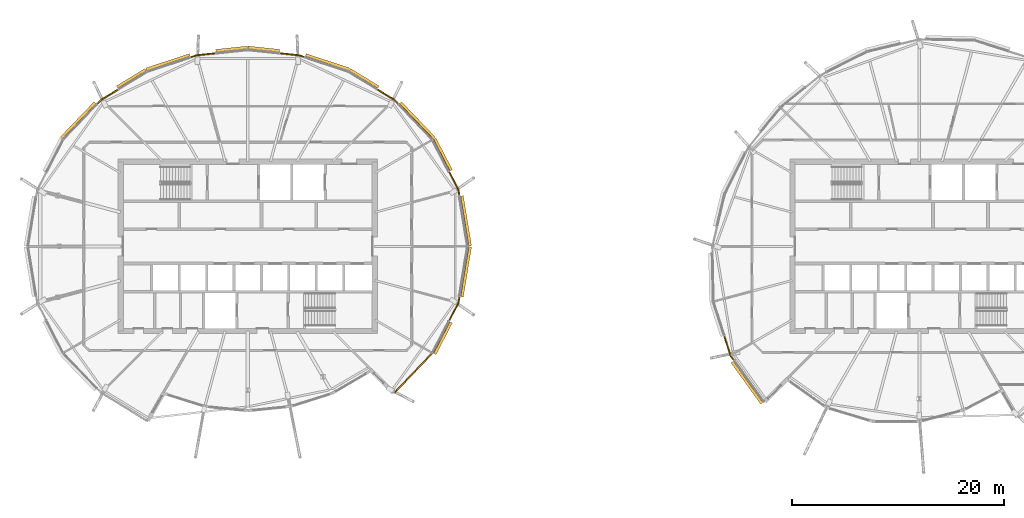
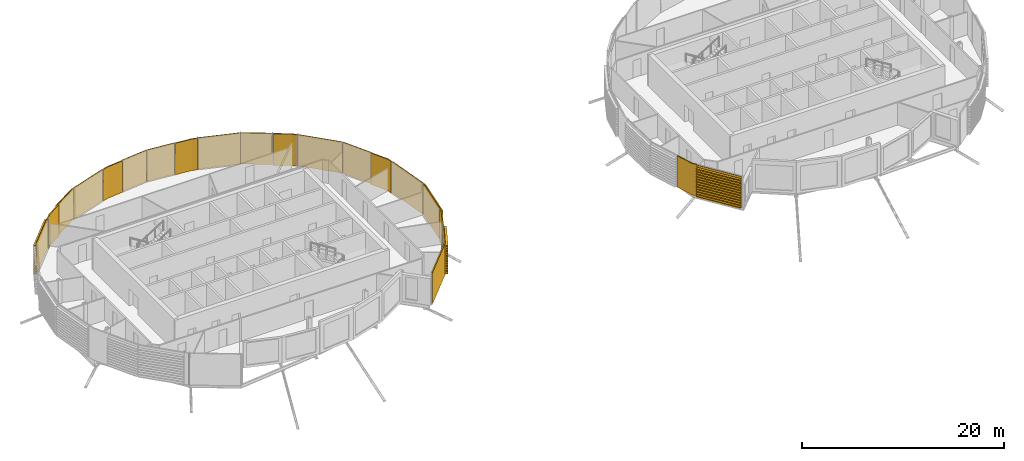
# One storey, part 31 of 35: 21 coverings.
"""IFC4 building model written with IfcOpenShell, lengths in metres."""

from ifc_helpers import new_model, si_unit, direction, frame, origin, place, context, subcontext, project, spatial, polyline, outline, extrude, material, layer, layer_set, material_profile, profile_set, type_object, element, save


model = new_model("IFC4")

# Units and contexts
model_context = context("Model", 3, precision=1e-05, world=origin(), true_north=direction((0.0, 1.0)))
body_context = subcontext(model_context, "Body", "Model", "MODEL_VIEW")
ifc_project = project(units=[si_unit("LENGTHUNIT", "METRE"), si_unit("AREAUNIT", "SQUARE_METRE"), si_unit("VOLUMEUNIT", "CUBIC_METRE"), si_unit("PLANEANGLEUNIT", "RADIAN"), si_unit("MASSUNIT", "GRAM", prefix="KILO")], contexts=[model_context])

# Site, building, storey
site_placement = place(None, origin())
site = spatial("IfcSite", under=ifc_project, at=site_placement, CompositionType="ELEMENT")
building_placement = place(site_placement, origin())
building = spatial("IfcBuilding", under=site, at=building_placement, Name="Rimbun Link Towers", CompositionType="ELEMENT")
storey_placement = place(building_placement, frame((0.0, 0.0, 225.699951171875)))
storey = spatial("IfcBuildingStorey", under=building, at=storey_placement, Name="L55", CompositionType="ELEMENT", Elevation=225.699951171875)

# Coverings
ifc_material_1 = material(Name="Terracotta", Category="masonry")
ifc_layer = layer(ifc_material_1, 0.1201171875)
ifc_layer_set = layer_set([ifc_layer], Name="LINK PIER terracotta cladding 120")
covering_type_1 = type_object("IfcCoveringType", Name="LINK PIER terracotta cladding 120", PredefinedType="CLADDING", material=ifc_layer_set)
covering_1_placement = place(storey_placement, origin())
element("IfcCovering", 1, at=covering_1_placement, inside=storey, type_object=covering_type_1, Name="LINK PIER cladding", PredefinedType="CLADDING", context=body_context, shape_type="SweptSolid", body=[
    extrude(outline(polyline([(-12.76513671875, 7.028564453125), (-11.8828125, 5.323486328125), (-11.790283203125, 4.760986328125), (-11.671875, 4.780517578125), (-11.767333984375, 5.361572265625), (-12.658447265625, 7.083740234375), (-12.76513671875, 7.028564453125)])), origin(), (0.0, 0.0, 1.0), 3.800048828125),
])
covering_2_placement = place(storey_placement, origin())
element("IfcCovering", 2, at=covering_2_placement, inside=storey, type_object=covering_type_1, Name="LINK PIER cladding", PredefinedType="CLADDING", context=body_context, shape_type="SweptSolid", body=[
    extrude(outline(polyline([(-19.528564453125, 14.79345703125), (-17.93505859375, 13.81494140625), (-17.54052734375, 13.403564453125), (-17.453857421875, 13.486572265625), (-17.859130859375, 13.9091796875), (-19.4658203125, 14.895751953125), (-19.528564453125, 14.79345703125)])), origin(), (0.0, 0.0, 1.0), 3.800048828125),
])
covering_3_placement = place(storey_placement, origin())
element("IfcCovering", 3, at=covering_3_placement, inside=storey, type_object=covering_type_1, Name="LINK PIER cladding", PredefinedType="CLADDING", context=body_context, shape_type="SweptSolid", body=[
    extrude(outline(polyline([(-28.733642578125, 18.20263671875), (-26.923583984375, 18.011962890625), (-26.382568359375, 17.832763671875), (-26.344970703125, 17.946533203125), (-26.898193359375, 18.1298828125), (-28.72119140625, 18.322021484375), (-28.733642578125, 18.20263671875)])), origin(), (0.0, 0.0, 1.0), 3.800048828125),
])
covering_4_placement = place(storey_placement, origin())
element("IfcCovering", 4, at=covering_4_placement, inside=storey, type_object=covering_type_1, Name="LINK PIER cladding", PredefinedType="CLADDING", context=body_context, shape_type="SweptSolid", body=[
    extrude(outline(polyline([(-37.117431640625, 17.832763671875), (-36.576416015625, 18.011962890625), (-34.766357421875, 18.20263671875), (-34.77880859375, 18.322021484375), (-36.601806640625, 18.1298828125), (-37.155029296875, 17.946533203125), (-37.117431640625, 17.832763671875)])), origin(), (0.0, 0.0, 1.0), 3.800048828125),
])
covering_5_placement = place(storey_placement, origin())
element("IfcCovering", 5, at=covering_5_placement, inside=storey, type_object=covering_type_1, Name="LINK PIER cladding", PredefinedType="CLADDING", context=body_context, shape_type="SweptSolid", body=[
    extrude(outline(polyline([(-45.95947265625, 13.403564453125), (-45.56494140625, 13.81494140625), (-43.971435546875, 14.79345703125), (-44.0341796875, 14.895751953125), (-45.640869140625, 13.9091796875), (-46.046142578125, 13.486572265625), (-45.95947265625, 13.403564453125)])), origin(), (0.0, 0.0, 1.0), 3.800048828125),
])
covering_6_placement = place(storey_placement, origin())
element("IfcCovering", 6, at=covering_6_placement, inside=storey, type_object=covering_type_1, Name="LINK PIER cladding", PredefinedType="CLADDING", context=body_context, shape_type="SweptSolid", body=[
    extrude(outline(polyline([(-14.3525390625, -10.078125), (-17.914306640625, -13.79345703125), (-17.82763671875, -13.87646484375), (-14.265869140625, -10.1611328125), (-14.3525390625, -10.078125)])), origin(), (0.0, 0.0, 1.0), 3.800048828125),
])
covering_7_placement = place(storey_placement, origin())
element("IfcCovering", 7, at=covering_7_placement, inside=storey, type_object=covering_type_1, Name="LINK PIER cladding", PredefinedType="CLADDING", context=body_context, shape_type="SweptSolid", body=[
    extrude(outline(polyline([(-11.790283203125, -4.760986328125), (-11.8828125, -5.323486328125), (-12.76513671875, -7.028564453125), (-12.658447265625, -7.083740234375), (-11.767333984375, -5.361572265625), (-11.671875, -4.780517578125), (-11.790283203125, -4.760986328125)])), origin(), (0.0, 0.0, 1.0), 3.800048828125),
])
covering_8_placement = place(storey_placement, origin())
element("IfcCovering", 8, at=covering_8_placement, inside=storey, type_object=covering_type_1, Name="LINK PIER cladding", PredefinedType="CLADDING", context=body_context, shape_type="SweptSolid", body=[
    extrude(outline(polyline([(14.269775390625, -10.747314453125), (13.9375, -10.2841796875), (13.35546875, -8.454345703125), (13.2412109375, -8.49072265625), (13.828857421875, -10.338623046875), (14.172119140625, -10.817138671875), (14.269775390625, -10.747314453125)])), origin(), (0.0, 0.0, 1.0), 3.800048828125),
])
ifc_material_2 = material(Name="Terracotta", Category="masonry")
ifc_material_profile = material_profile(ifc_material_2, outline(polyline([(0.123046875, 0.0), (0.1630859375, 0.0), (0.1630859375, 0.10009765625), (0.423095703125, 0.10009765625), (0.423095703125, 0.219970703125), (0.1630859375, 0.219970703125), (0.1630859375, 0.39990234375), (0.423095703125, 0.39990234375), (0.423095703125, 0.52001953125), (0.1630859375, 0.52001953125), (0.1630859375, 0.699951171875), (0.423095703125, 0.699951171875), (0.423095703125, 0.820068359375), (0.1630859375, 0.820068359375), (0.1630859375, 1.0), (0.423095703125, 1.0), (0.423095703125, 1.1201171875), (0.1630859375, 1.1201171875), (0.1630859375, 1.300048828125), (0.423095703125, 1.300048828125), (0.423095703125, 1.419921875), (0.1630859375, 1.419921875), (0.1630859375, 1.60009765625), (0.423095703125, 1.60009765625), (0.423095703125, 1.719970703125), (0.1630859375, 1.719970703125), (0.1630859375, 1.89990234375), (0.423095703125, 1.89990234375), (0.423095703125, 2.02001953125), (0.1630859375, 2.02001953125), (0.1630859375, 2.199951171875), (0.423095703125, 2.199951171875), (0.423095703125, 2.320068359375), (0.1630859375, 2.320068359375), (0.1630859375, 2.5), (0.423095703125, 2.5), (0.423095703125, 2.6201171875), (0.1630859375, 2.6201171875), (0.1630859375, 2.800048828125), (0.423095703125, 2.800048828125), (0.423095703125, 2.919921875), (0.1630859375, 2.919921875), (0.1630859375, 3.10009765625), (0.423095703125, 3.10009765625), (0.423095703125, 3.219970703125), (0.1630859375, 3.219970703125), (0.1630859375, 3.39990234375), (0.423095703125, 3.39990234375), (0.423095703125, 3.52001953125), (0.1630859375, 3.52001953125), (0.1630859375, 3.800048828125), (0.123046875, 3.800048828125), (0.123046875, 0.0)])), Name="BAGUETTE 120X300")
ifc_profile_set = profile_set([ifc_material_profile], Name="Terracotta")
covering_type_2 = type_object("IfcCoveringType", Name="TERRACOTTA BAGUETTE 120X300 H3800", PredefinedType="CLADDING", material=ifc_profile_set)
covering_9_placement = place(storey_placement, frame((-11.785400390625, 4.7314453125, 0.0), z_axis=(0.162268400296, -0.98674665759, 0.0), x_axis=(0.98674665759, 0.162268400296, 0.0)))
element("IfcCovering", 9, at=covering_9_placement, inside=storey, type_object=covering_type_2, Name="TERRACOTTA BAGUETTE", PredefinedType="CLADDING", context=body_context, shape_type="SweptSolid", body=[
    extrude(outline(polyline([(0.123046875, 0.0), (0.1630859375, 0.0), (0.1630859375, 0.10009765625), (0.423095703125, 0.10009765625), (0.423095703125, 0.219970703125), (0.1630859375, 0.219970703125), (0.1630859375, 0.39990234375), (0.423095703125, 0.39990234375), (0.423095703125, 0.52001953125), (0.1630859375, 0.52001953125), (0.1630859375, 0.699951171875), (0.423095703125, 0.699951171875), (0.423095703125, 0.820068359375), (0.1630859375, 0.820068359375), (0.1630859375, 1.0), (0.423095703125, 1.0), (0.423095703125, 1.1201171875), (0.1630859375, 1.1201171875), (0.1630859375, 1.300048828125), (0.423095703125, 1.300048828125), (0.423095703125, 1.419921875), (0.1630859375, 1.419921875), (0.1630859375, 1.60009765625), (0.423095703125, 1.60009765625), (0.423095703125, 1.719970703125), (0.1630859375, 1.719970703125), (0.1630859375, 1.89990234375), (0.423095703125, 1.89990234375), (0.423095703125, 2.02001953125), (0.1630859375, 2.02001953125), (0.1630859375, 2.199951171875), (0.423095703125, 2.199951171875), (0.423095703125, 2.320068359375), (0.1630859375, 2.320068359375), (0.1630859375, 2.5), (0.423095703125, 2.5), (0.423095703125, 2.6201171875), (0.1630859375, 2.6201171875), (0.1630859375, 2.800048828125), (0.423095703125, 2.800048828125), (0.423095703125, 2.919921875), (0.1630859375, 2.919921875), (0.1630859375, 3.10009765625), (0.423095703125, 3.10009765625), (0.423095703125, 3.219970703125), (0.1630859375, 3.219970703125), (0.1630859375, 3.39990234375), (0.423095703125, 3.39990234375), (0.423095703125, 3.52001953125), (0.1630859375, 3.52001953125), (0.1630859375, 3.800048828125), (0.123046875, 3.800048828125), (0.123046875, 0.0)])), origin(), (0.0, 0.0, 1.0), 4.794921875),
])
covering_10_placement = place(storey_placement, frame((-14.331787109375, 10.056396484375, 0.0), z_axis=(0.459597847654, -0.888127140916, 0.0), x_axis=(0.888127140916, 0.459597847654, 0.0)))
element("IfcCovering", 10, at=covering_10_placement, inside=storey, type_object=covering_type_2, Name="TERRACOTTA BAGUETTE", PredefinedType="CLADDING", context=body_context, shape_type="SweptSolid", body=[
    extrude(outline(polyline([(0.123046875, 0.0), (0.1630859375, 0.0), (0.1630859375, 0.10009765625), (0.423095703125, 0.10009765625), (0.423095703125, 0.219970703125), (0.1630859375, 0.219970703125), (0.1630859375, 0.39990234375), (0.423095703125, 0.39990234375), (0.423095703125, 0.52001953125), (0.1630859375, 0.52001953125), (0.1630859375, 0.699951171875), (0.423095703125, 0.699951171875), (0.423095703125, 0.820068359375), (0.1630859375, 0.820068359375), (0.1630859375, 1.0), (0.423095703125, 1.0), (0.423095703125, 1.1201171875), (0.1630859375, 1.1201171875), (0.1630859375, 1.300048828125), (0.423095703125, 1.300048828125), (0.423095703125, 1.419921875), (0.1630859375, 1.419921875), (0.1630859375, 1.60009765625), (0.423095703125, 1.60009765625), (0.423095703125, 1.719970703125), (0.1630859375, 1.719970703125), (0.1630859375, 1.89990234375), (0.423095703125, 1.89990234375), (0.423095703125, 2.02001953125), (0.1630859375, 2.02001953125), (0.1630859375, 2.199951171875), (0.423095703125, 2.199951171875), (0.423095703125, 2.320068359375), (0.1630859375, 2.320068359375), (0.1630859375, 2.5), (0.423095703125, 2.5), (0.423095703125, 2.6201171875), (0.1630859375, 2.6201171875), (0.1630859375, 2.800048828125), (0.423095703125, 2.800048828125), (0.423095703125, 2.919921875), (0.1630859375, 2.919921875), (0.1630859375, 3.10009765625), (0.423095703125, 3.10009765625), (0.423095703125, 3.219970703125), (0.1630859375, 3.219970703125), (0.1630859375, 3.39990234375), (0.423095703125, 3.39990234375), (0.423095703125, 3.52001953125), (0.1630859375, 3.52001953125), (0.1630859375, 3.800048828125), (0.123046875, 3.800048828125), (0.123046875, 0.0)])), origin(), (0.0, 0.0, 1.0), 3.37890625),
])
covering_11_placement = place(storey_placement, frame((-17.519775390625, 13.3818359375, 0.0), z_axis=(0.692030818263, -0.721867956468, 0.0), x_axis=(0.721867956468, 0.692030818263, 0.0)))
element("IfcCovering", 11, at=covering_11_placement, inside=storey, type_object=covering_type_2, Name="TERRACOTTA BAGUETTE", PredefinedType="CLADDING", context=body_context, shape_type="SweptSolid", body=[
    extrude(outline(polyline([(0.123046875, 0.0), (0.1630859375, 0.0), (0.1630859375, 0.10009765625), (0.423095703125, 0.10009765625), (0.423095703125, 0.219970703125), (0.1630859375, 0.219970703125), (0.1630859375, 0.39990234375), (0.423095703125, 0.39990234375), (0.423095703125, 0.52001953125), (0.1630859375, 0.52001953125), (0.1630859375, 0.699951171875), (0.423095703125, 0.699951171875), (0.423095703125, 0.820068359375), (0.1630859375, 0.820068359375), (0.1630859375, 1.0), (0.423095703125, 1.0), (0.423095703125, 1.1201171875), (0.1630859375, 1.1201171875), (0.1630859375, 1.300048828125), (0.423095703125, 1.300048828125), (0.423095703125, 1.419921875), (0.1630859375, 1.419921875), (0.1630859375, 1.60009765625), (0.423095703125, 1.60009765625), (0.423095703125, 1.719970703125), (0.1630859375, 1.719970703125), (0.1630859375, 1.89990234375), (0.423095703125, 1.89990234375), (0.423095703125, 2.02001953125), (0.1630859375, 2.02001953125), (0.1630859375, 2.199951171875), (0.423095703125, 2.199951171875), (0.423095703125, 2.320068359375), (0.1630859375, 2.320068359375), (0.1630859375, 2.5), (0.423095703125, 2.5), (0.423095703125, 2.6201171875), (0.1630859375, 2.6201171875), (0.1630859375, 2.800048828125), (0.423095703125, 2.800048828125), (0.423095703125, 2.919921875), (0.1630859375, 2.919921875), (0.1630859375, 3.10009765625), (0.423095703125, 3.10009765625), (0.423095703125, 3.219970703125), (0.1630859375, 3.219970703125), (0.1630859375, 3.39990234375), (0.423095703125, 3.39990234375), (0.423095703125, 3.52001953125), (0.1630859375, 3.52001953125), (0.1630859375, 3.800048828125), (0.123046875, 3.800048828125), (0.123046875, 0.0)])), origin(), (0.0, 0.0, 1.0), 4.606689453125),
])
covering_12_placement = place(storey_placement, frame((-22.245849609375, 16.4619140625, 0.0), z_axis=(0.852162155598, -0.52327780439, 0.0), x_axis=(0.52327780439, 0.852162155598, 0.0)))
element("IfcCovering", 12, at=covering_12_placement, inside=storey, type_object=covering_type_2, Name="TERRACOTTA BAGUETTE", PredefinedType="CLADDING", context=body_context, shape_type="SweptSolid", body=[
    extrude(outline(polyline([(0.123046875, 0.0), (0.1630859375, 0.0), (0.1630859375, 0.10009765625), (0.423095703125, 0.10009765625), (0.423095703125, 0.219970703125), (0.1630859375, 0.219970703125), (0.1630859375, 0.39990234375), (0.423095703125, 0.39990234375), (0.423095703125, 0.52001953125), (0.1630859375, 0.52001953125), (0.1630859375, 0.699951171875), (0.423095703125, 0.699951171875), (0.423095703125, 0.820068359375), (0.1630859375, 0.820068359375), (0.1630859375, 1.0), (0.423095703125, 1.0), (0.423095703125, 1.1201171875), (0.1630859375, 1.1201171875), (0.1630859375, 1.300048828125), (0.423095703125, 1.300048828125), (0.423095703125, 1.419921875), (0.1630859375, 1.419921875), (0.1630859375, 1.60009765625), (0.423095703125, 1.60009765625), (0.423095703125, 1.719970703125), (0.1630859375, 1.719970703125), (0.1630859375, 1.89990234375), (0.423095703125, 1.89990234375), (0.423095703125, 2.02001953125), (0.1630859375, 2.02001953125), (0.1630859375, 2.199951171875), (0.423095703125, 2.199951171875), (0.423095703125, 2.320068359375), (0.1630859375, 2.320068359375), (0.1630859375, 2.5), (0.423095703125, 2.5), (0.423095703125, 2.6201171875), (0.1630859375, 2.6201171875), (0.1630859375, 2.800048828125), (0.423095703125, 2.800048828125), (0.423095703125, 2.919921875), (0.1630859375, 2.919921875), (0.1630859375, 3.10009765625), (0.423095703125, 3.10009765625), (0.423095703125, 3.219970703125), (0.1630859375, 3.219970703125), (0.1630859375, 3.39990234375), (0.423095703125, 3.39990234375), (0.423095703125, 3.52001953125), (0.1630859375, 3.52001953125), (0.1630859375, 3.800048828125), (0.123046875, 3.800048828125), (0.123046875, 0.0)])), origin(), (0.0, 0.0, 1.0), 3.15869140625),
])
covering_13_placement = place(storey_placement, frame((-26.354248046875, 17.8232421875, 0.0), z_axis=(0.949245875883, -0.314535001422, 0.0), x_axis=(0.314535001422, 0.949245875883, 0.0)))
element("IfcCovering", 13, at=covering_13_placement, inside=storey, type_object=covering_type_2, Name="TERRACOTTA BAGUETTE", PredefinedType="CLADDING", context=body_context, shape_type="SweptSolid", body=[
    extrude(outline(polyline([(0.123046875, 0.0), (0.1630859375, 0.0), (0.1630859375, 0.10009765625), (0.423095703125, 0.10009765625), (0.423095703125, 0.219970703125), (0.1630859375, 0.219970703125), (0.1630859375, 0.39990234375), (0.423095703125, 0.39990234375), (0.423095703125, 0.52001953125), (0.1630859375, 0.52001953125), (0.1630859375, 0.699951171875), (0.423095703125, 0.699951171875), (0.423095703125, 0.820068359375), (0.1630859375, 0.820068359375), (0.1630859375, 1.0), (0.423095703125, 1.0), (0.423095703125, 1.1201171875), (0.1630859375, 1.1201171875), (0.1630859375, 1.300048828125), (0.423095703125, 1.300048828125), (0.423095703125, 1.419921875), (0.1630859375, 1.419921875), (0.1630859375, 1.60009765625), (0.423095703125, 1.60009765625), (0.423095703125, 1.719970703125), (0.1630859375, 1.719970703125), (0.1630859375, 1.89990234375), (0.423095703125, 1.89990234375), (0.423095703125, 2.02001953125), (0.1630859375, 2.02001953125), (0.1630859375, 2.199951171875), (0.423095703125, 2.199951171875), (0.423095703125, 2.320068359375), (0.1630859375, 2.320068359375), (0.1630859375, 2.5), (0.423095703125, 2.5), (0.423095703125, 2.6201171875), (0.1630859375, 2.6201171875), (0.1630859375, 2.800048828125), (0.423095703125, 2.800048828125), (0.423095703125, 2.919921875), (0.1630859375, 2.919921875), (0.1630859375, 3.10009765625), (0.423095703125, 3.10009765625), (0.423095703125, 3.219970703125), (0.1630859375, 3.219970703125), (0.1630859375, 3.39990234375), (0.423095703125, 3.39990234375), (0.423095703125, 3.52001953125), (0.1630859375, 3.52001953125), (0.1630859375, 3.800048828125), (0.123046875, 3.800048828125), (0.123046875, 0.0)])), origin(), (0.0, 0.0, 1.0), 4.328125),
])
for number, where, z_axis, x_axis, name in (
    (14, (-31.75, 18.520263671875, 0.0), (0.994502779828, -0.104710175788, 0.0), (0.104710175788, 0.994502779828, 0.0), "TERRACOTTA BAGUETTE"),
    (15, (-34.736572265625, 18.205810546875, 0.0), (0.994502779828, 0.104710175788, 0.0), (-0.104710175788, 0.994502779828, 0.0), "TERRACOTTA BAGUETTE"),
):
    element("IfcCovering", number, at=place(storey_placement, frame(where, z_axis=z_axis, x_axis=x_axis)), inside=storey, type_object=covering_type_2, Name=name, PredefinedType="CLADDING", context=body_context, shape_type="SweptSolid", body=[
        extrude(outline(polyline([(0.123046875, 0.0), (0.1630859375, 0.0), (0.1630859375, 0.10009765625), (0.423095703125, 0.10009765625), (0.423095703125, 0.219970703125), (0.1630859375, 0.219970703125), (0.1630859375, 0.39990234375), (0.423095703125, 0.39990234375), (0.423095703125, 0.52001953125), (0.1630859375, 0.52001953125), (0.1630859375, 0.699951171875), (0.423095703125, 0.699951171875), (0.423095703125, 0.820068359375), (0.1630859375, 0.820068359375), (0.1630859375, 1.0), (0.423095703125, 1.0), (0.423095703125, 1.1201171875), (0.1630859375, 1.1201171875), (0.1630859375, 1.300048828125), (0.423095703125, 1.300048828125), (0.423095703125, 1.419921875), (0.1630859375, 1.419921875), (0.1630859375, 1.60009765625), (0.423095703125, 1.60009765625), (0.423095703125, 1.719970703125), (0.1630859375, 1.719970703125), (0.1630859375, 1.89990234375), (0.423095703125, 1.89990234375), (0.423095703125, 2.02001953125), (0.1630859375, 2.02001953125), (0.1630859375, 2.199951171875), (0.423095703125, 2.199951171875), (0.423095703125, 2.320068359375), (0.1630859375, 2.320068359375), (0.1630859375, 2.5), (0.423095703125, 2.5), (0.423095703125, 2.6201171875), (0.1630859375, 2.6201171875), (0.1630859375, 2.800048828125), (0.423095703125, 2.800048828125), (0.423095703125, 2.919921875), (0.1630859375, 2.919921875), (0.1630859375, 3.10009765625), (0.423095703125, 3.10009765625), (0.423095703125, 3.219970703125), (0.1630859375, 3.219970703125), (0.1630859375, 3.39990234375), (0.423095703125, 3.39990234375), (0.423095703125, 3.52001953125), (0.1630859375, 3.52001953125), (0.1630859375, 3.800048828125), (0.123046875, 3.800048828125), (0.123046875, 0.0)])), origin(), (0.0, 0.0, 1.0), 3.003173828125),
    ])
covering_14_placement = place(storey_placement, frame((-41.254150390625, 16.4619140625, 0.0), z_axis=(0.949245875883, 0.314535001422, 0.0), x_axis=(-0.314535001422, 0.949245875883, 0.0)))
element("IfcCovering", 16, at=covering_14_placement, inside=storey, type_object=covering_type_2, Name="TERRACOTTA BAGUETTE", PredefinedType="CLADDING", context=body_context, shape_type="SweptSolid", body=[
    extrude(outline(polyline([(0.123046875, 0.0), (0.1630859375, 0.0), (0.1630859375, 0.10009765625), (0.423095703125, 0.10009765625), (0.423095703125, 0.219970703125), (0.1630859375, 0.219970703125), (0.1630859375, 0.39990234375), (0.423095703125, 0.39990234375), (0.423095703125, 0.52001953125), (0.1630859375, 0.52001953125), (0.1630859375, 0.699951171875), (0.423095703125, 0.699951171875), (0.423095703125, 0.820068359375), (0.1630859375, 0.820068359375), (0.1630859375, 1.0), (0.423095703125, 1.0), (0.423095703125, 1.1201171875), (0.1630859375, 1.1201171875), (0.1630859375, 1.300048828125), (0.423095703125, 1.300048828125), (0.423095703125, 1.419921875), (0.1630859375, 1.419921875), (0.1630859375, 1.60009765625), (0.423095703125, 1.60009765625), (0.423095703125, 1.719970703125), (0.1630859375, 1.719970703125), (0.1630859375, 1.89990234375), (0.423095703125, 1.89990234375), (0.423095703125, 2.02001953125), (0.1630859375, 2.02001953125), (0.1630859375, 2.199951171875), (0.423095703125, 2.199951171875), (0.423095703125, 2.320068359375), (0.1630859375, 2.320068359375), (0.1630859375, 2.5), (0.423095703125, 2.5), (0.423095703125, 2.6201171875), (0.1630859375, 2.6201171875), (0.1630859375, 2.800048828125), (0.423095703125, 2.800048828125), (0.423095703125, 2.919921875), (0.1630859375, 2.919921875), (0.1630859375, 3.10009765625), (0.423095703125, 3.10009765625), (0.423095703125, 3.219970703125), (0.1630859375, 3.219970703125), (0.1630859375, 3.39990234375), (0.423095703125, 3.39990234375), (0.423095703125, 3.52001953125), (0.1630859375, 3.52001953125), (0.1630859375, 3.800048828125), (0.123046875, 3.800048828125), (0.123046875, 0.0)])), origin(), (0.0, 0.0, 1.0), 4.328125),
])
covering_15_placement = place(storey_placement, frame((-43.94580078125, 14.80908203125, 0.0), z_axis=(0.852162155598, 0.52327780439, 0.0), x_axis=(-0.52327780439, 0.852162155598, 0.0)))
element("IfcCovering", 17, at=covering_15_placement, inside=storey, type_object=covering_type_2, Name="TERRACOTTA BAGUETTE", PredefinedType="CLADDING", context=body_context, shape_type="SweptSolid", body=[
    extrude(outline(polyline([(0.123046875, 0.0), (0.1630859375, 0.0), (0.1630859375, 0.10009765625), (0.423095703125, 0.10009765625), (0.423095703125, 0.219970703125), (0.1630859375, 0.219970703125), (0.1630859375, 0.39990234375), (0.423095703125, 0.39990234375), (0.423095703125, 0.52001953125), (0.1630859375, 0.52001953125), (0.1630859375, 0.699951171875), (0.423095703125, 0.699951171875), (0.423095703125, 0.820068359375), (0.1630859375, 0.820068359375), (0.1630859375, 1.0), (0.423095703125, 1.0), (0.423095703125, 1.1201171875), (0.1630859375, 1.1201171875), (0.1630859375, 1.300048828125), (0.423095703125, 1.300048828125), (0.423095703125, 1.419921875), (0.1630859375, 1.419921875), (0.1630859375, 1.60009765625), (0.423095703125, 1.60009765625), (0.423095703125, 1.719970703125), (0.1630859375, 1.719970703125), (0.1630859375, 1.89990234375), (0.423095703125, 1.89990234375), (0.423095703125, 2.02001953125), (0.1630859375, 2.02001953125), (0.1630859375, 2.199951171875), (0.423095703125, 2.199951171875), (0.423095703125, 2.320068359375), (0.1630859375, 2.320068359375), (0.1630859375, 2.5), (0.423095703125, 2.5), (0.423095703125, 2.6201171875), (0.1630859375, 2.6201171875), (0.1630859375, 2.800048828125), (0.423095703125, 2.800048828125), (0.423095703125, 2.919921875), (0.1630859375, 2.919921875), (0.1630859375, 3.10009765625), (0.423095703125, 3.10009765625), (0.423095703125, 3.219970703125), (0.1630859375, 3.219970703125), (0.1630859375, 3.39990234375), (0.423095703125, 3.39990234375), (0.423095703125, 3.52001953125), (0.1630859375, 3.52001953125), (0.1630859375, 3.800048828125), (0.123046875, 3.800048828125), (0.123046875, 0.0)])), origin(), (0.0, 0.0, 1.0), 3.15869140625),
])
covering_16_placement = place(storey_placement, frame((-49.168212890625, 10.056396484375, 0.0), z_axis=(0.692030818263, 0.721867956468, 0.0), x_axis=(-0.721867956468, 0.692030818263, 0.0)))
element("IfcCovering", 18, at=covering_16_placement, inside=storey, type_object=covering_type_2, Name="TERRACOTTA BAGUETTE", PredefinedType="CLADDING", context=body_context, shape_type="SweptSolid", body=[
    extrude(outline(polyline([(0.123046875, 0.0), (0.1630859375, 0.0), (0.1630859375, 0.10009765625), (0.423095703125, 0.10009765625), (0.423095703125, 0.219970703125), (0.1630859375, 0.219970703125), (0.1630859375, 0.39990234375), (0.423095703125, 0.39990234375), (0.423095703125, 0.52001953125), (0.1630859375, 0.52001953125), (0.1630859375, 0.699951171875), (0.423095703125, 0.699951171875), (0.423095703125, 0.820068359375), (0.1630859375, 0.820068359375), (0.1630859375, 1.0), (0.423095703125, 1.0), (0.423095703125, 1.1201171875), (0.1630859375, 1.1201171875), (0.1630859375, 1.300048828125), (0.423095703125, 1.300048828125), (0.423095703125, 1.419921875), (0.1630859375, 1.419921875), (0.1630859375, 1.60009765625), (0.423095703125, 1.60009765625), (0.423095703125, 1.719970703125), (0.1630859375, 1.719970703125), (0.1630859375, 1.89990234375), (0.423095703125, 1.89990234375), (0.423095703125, 2.02001953125), (0.1630859375, 2.02001953125), (0.1630859375, 2.199951171875), (0.423095703125, 2.199951171875), (0.423095703125, 2.320068359375), (0.1630859375, 2.320068359375), (0.1630859375, 2.5), (0.423095703125, 2.5), (0.423095703125, 2.6201171875), (0.1630859375, 2.6201171875), (0.1630859375, 2.800048828125), (0.423095703125, 2.800048828125), (0.423095703125, 2.919921875), (0.1630859375, 2.919921875), (0.1630859375, 3.10009765625), (0.423095703125, 3.10009765625), (0.423095703125, 3.219970703125), (0.1630859375, 3.219970703125), (0.1630859375, 3.39990234375), (0.423095703125, 3.39990234375), (0.423095703125, 3.52001953125), (0.1630859375, 3.52001953125), (0.1630859375, 3.800048828125), (0.123046875, 3.800048828125), (0.123046875, 0.0)])), origin(), (0.0, 0.0, 1.0), 4.606689453125),
])
covering_17_placement = place(storey_placement, frame((-12.77880859375, -7.055419921875, 0.0), z_axis=(-0.459597847654, -0.888127140916, 0.0), x_axis=(0.888127140916, -0.459597847654, 0.0)))
element("IfcCovering", 19, at=covering_17_placement, inside=storey, type_object=covering_type_2, Name="TERRACOTTA BAGUETTE", PredefinedType="CLADDING", context=body_context, shape_type="SweptSolid", body=[
    extrude(outline(polyline([(0.123046875, 0.0), (0.1630859375, 0.0), (0.1630859375, 0.10009765625), (0.423095703125, 0.10009765625), (0.423095703125, 0.219970703125), (0.1630859375, 0.219970703125), (0.1630859375, 0.39990234375), (0.423095703125, 0.39990234375), (0.423095703125, 0.52001953125), (0.1630859375, 0.52001953125), (0.1630859375, 0.699951171875), (0.423095703125, 0.699951171875), (0.423095703125, 0.820068359375), (0.1630859375, 0.820068359375), (0.1630859375, 1.0), (0.423095703125, 1.0), (0.423095703125, 1.1201171875), (0.1630859375, 1.1201171875), (0.1630859375, 1.300048828125), (0.423095703125, 1.300048828125), (0.423095703125, 1.419921875), (0.1630859375, 1.419921875), (0.1630859375, 1.60009765625), (0.423095703125, 1.60009765625), (0.423095703125, 1.719970703125), (0.1630859375, 1.719970703125), (0.1630859375, 1.89990234375), (0.423095703125, 1.89990234375), (0.423095703125, 2.02001953125), (0.1630859375, 2.02001953125), (0.1630859375, 2.199951171875), (0.423095703125, 2.199951171875), (0.423095703125, 2.320068359375), (0.1630859375, 2.320068359375), (0.1630859375, 2.5), (0.423095703125, 2.5), (0.423095703125, 2.6201171875), (0.1630859375, 2.6201171875), (0.1630859375, 2.800048828125), (0.423095703125, 2.800048828125), (0.423095703125, 2.919921875), (0.1630859375, 2.919921875), (0.1630859375, 3.10009765625), (0.423095703125, 3.10009765625), (0.423095703125, 3.219970703125), (0.1630859375, 3.219970703125), (0.1630859375, 3.39990234375), (0.423095703125, 3.39990234375), (0.423095703125, 3.52001953125), (0.1630859375, 3.52001953125), (0.1630859375, 3.800048828125), (0.123046875, 3.800048828125), (0.123046875, 0.0)])), origin(), (0.0, 0.0, 1.0), 3.37890625),
])
covering_18_placement = place(storey_placement, frame((-11.00732421875, 0.0, 0.0), z_axis=(-0.162268400296, -0.98674665759, 0.0), x_axis=(0.98674665759, -0.162268400296, 0.0)))
element("IfcCovering", 20, at=covering_18_placement, inside=storey, type_object=covering_type_2, Name="TERRACOTTA BAGUETTE", PredefinedType="CLADDING", context=body_context, shape_type="SweptSolid", body=[
    extrude(outline(polyline([(0.123046875, 0.0), (0.1630859375, 0.0), (0.1630859375, 0.10009765625), (0.423095703125, 0.10009765625), (0.423095703125, 0.219970703125), (0.1630859375, 0.219970703125), (0.1630859375, 0.39990234375), (0.423095703125, 0.39990234375), (0.423095703125, 0.52001953125), (0.1630859375, 0.52001953125), (0.1630859375, 0.699951171875), (0.423095703125, 0.699951171875), (0.423095703125, 0.820068359375), (0.1630859375, 0.820068359375), (0.1630859375, 1.0), (0.423095703125, 1.0), (0.423095703125, 1.1201171875), (0.1630859375, 1.1201171875), (0.1630859375, 1.300048828125), (0.423095703125, 1.300048828125), (0.423095703125, 1.419921875), (0.1630859375, 1.419921875), (0.1630859375, 1.60009765625), (0.423095703125, 1.60009765625), (0.423095703125, 1.719970703125), (0.1630859375, 1.719970703125), (0.1630859375, 1.89990234375), (0.423095703125, 1.89990234375), (0.423095703125, 2.02001953125), (0.1630859375, 2.02001953125), (0.1630859375, 2.199951171875), (0.423095703125, 2.199951171875), (0.423095703125, 2.320068359375), (0.1630859375, 2.320068359375), (0.1630859375, 2.5), (0.423095703125, 2.5), (0.423095703125, 2.6201171875), (0.1630859375, 2.6201171875), (0.1630859375, 2.800048828125), (0.423095703125, 2.800048828125), (0.423095703125, 2.919921875), (0.1630859375, 2.919921875), (0.1630859375, 3.10009765625), (0.423095703125, 3.10009765625), (0.423095703125, 3.219970703125), (0.1630859375, 3.219970703125), (0.1630859375, 3.39990234375), (0.423095703125, 3.39990234375), (0.423095703125, 3.52001953125), (0.1630859375, 3.52001953125), (0.1630859375, 3.800048828125), (0.123046875, 3.800048828125), (0.123046875, 0.0)])), origin(), (0.0, 0.0, 1.0), 4.794921875),
])
covering_19_placement = place(storey_placement, frame((17.082763671875, -14.667236328125, 0.0), z_axis=(-0.583028444811, 0.812451741669, 0.0), x_axis=(-0.812451741669, -0.583028444811, 0.0)))
element("IfcCovering", 21, at=covering_19_placement, inside=storey, type_object=covering_type_2, Name="TERRACOTTA BAGUETTE", PredefinedType="CLADDING", context=body_context, shape_type="SweptSolid", body=[
    extrude(outline(polyline([(0.123046875, 0.0), (0.1630859375, 0.0), (0.1630859375, 0.10009765625), (0.423095703125, 0.10009765625), (0.423095703125, 0.219970703125), (0.1630859375, 0.219970703125), (0.1630859375, 0.39990234375), (0.423095703125, 0.39990234375), (0.423095703125, 0.52001953125), (0.1630859375, 0.52001953125), (0.1630859375, 0.699951171875), (0.423095703125, 0.699951171875), (0.423095703125, 0.820068359375), (0.1630859375, 0.820068359375), (0.1630859375, 1.0), (0.423095703125, 1.0), (0.423095703125, 1.1201171875), (0.1630859375, 1.1201171875), (0.1630859375, 1.300048828125), (0.423095703125, 1.300048828125), (0.423095703125, 1.419921875), (0.1630859375, 1.419921875), (0.1630859375, 1.60009765625), (0.423095703125, 1.60009765625), (0.423095703125, 1.719970703125), (0.1630859375, 1.719970703125), (0.1630859375, 1.89990234375), (0.423095703125, 1.89990234375), (0.423095703125, 2.02001953125), (0.1630859375, 2.02001953125), (0.1630859375, 2.199951171875), (0.423095703125, 2.199951171875), (0.423095703125, 2.320068359375), (0.1630859375, 2.320068359375), (0.1630859375, 2.5), (0.423095703125, 2.5), (0.423095703125, 2.6201171875), (0.1630859375, 2.6201171875), (0.1630859375, 2.800048828125), (0.423095703125, 2.800048828125), (0.423095703125, 2.919921875), (0.1630859375, 2.919921875), (0.1630859375, 3.10009765625), (0.423095703125, 3.10009765625), (0.423095703125, 3.219970703125), (0.1630859375, 3.219970703125), (0.1630859375, 3.39990234375), (0.423095703125, 3.39990234375), (0.423095703125, 3.52001953125), (0.1630859375, 3.52001953125), (0.1630859375, 3.800048828125), (0.123046875, 3.800048828125), (0.123046875, 0.0)])), origin(), (0.0, 0.0, 1.0), 4.795166015625),
])

save(model, "model.ifc")
